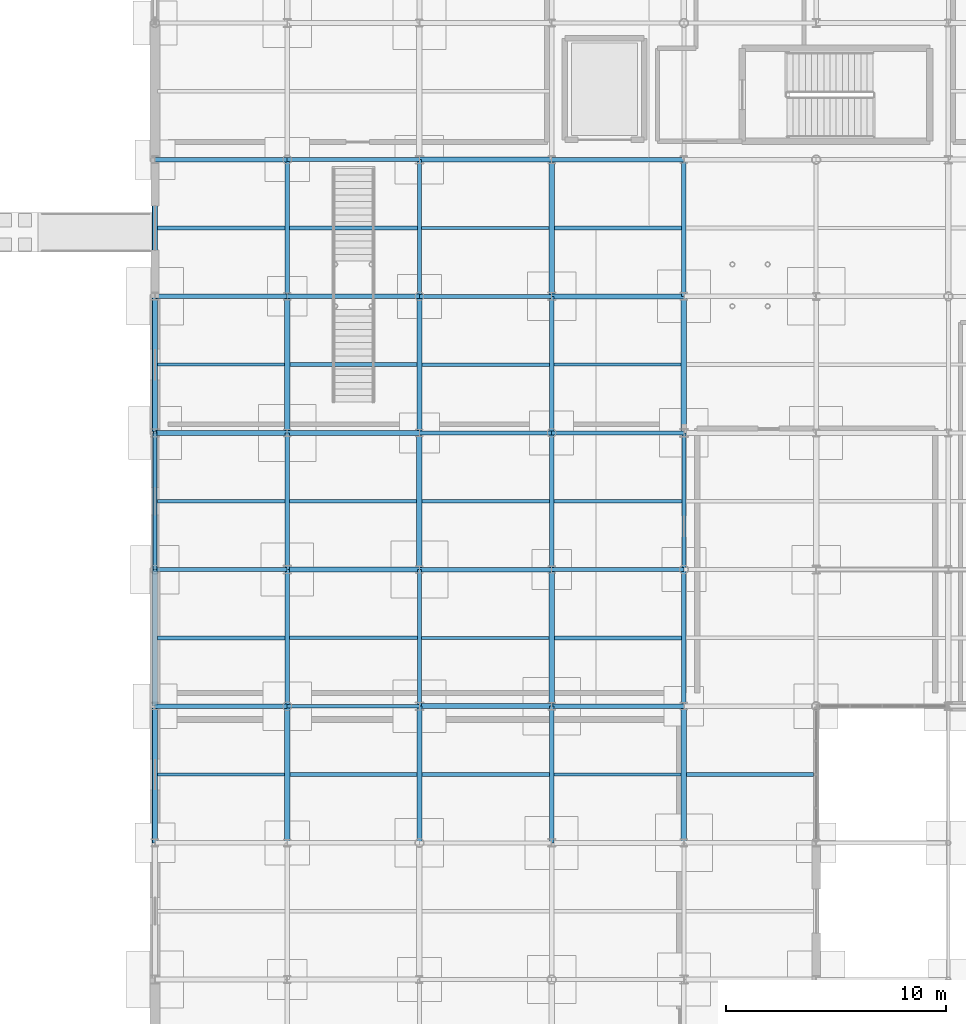
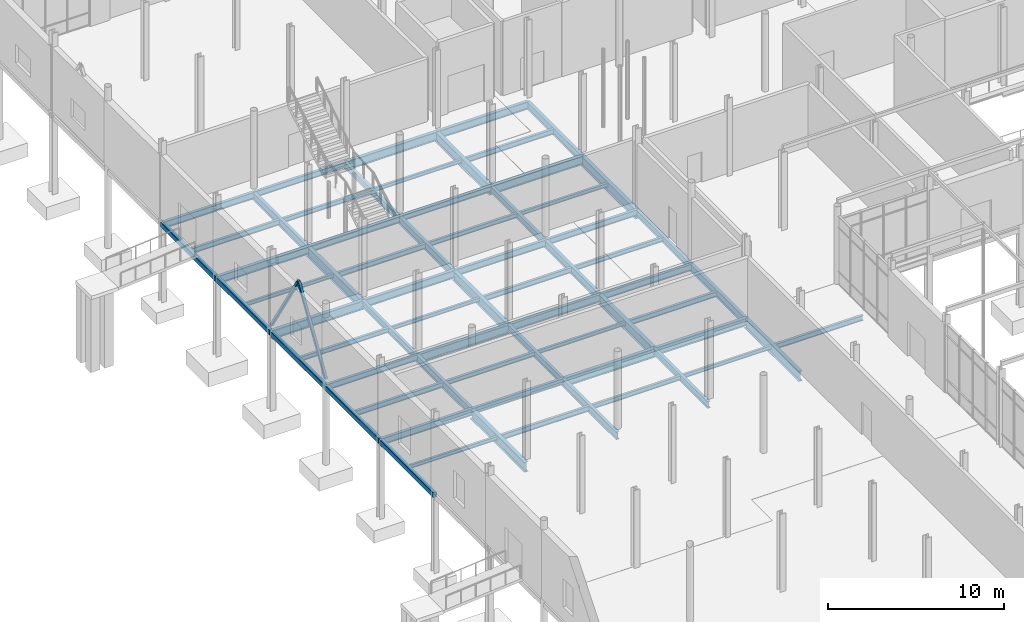
# One storey, part 31 of 98: 66 beams, 2 members.
"""IFC4 building model written with IfcOpenShell, lengths in metres."""

from ifc_helpers import new_model, si_unit, direction, frame, origin, origin_2d, place, context, subcontext, project, spatial, hollow_rectangle, i_section, extrude, material, material_profile, profile_set, type_object, element, save


model = new_model("IFC4")

# Units and contexts
model_context = context("Model", 3, precision=1e-05, world=origin(), true_north=direction((0.0, 1.0)))
body_context = subcontext(model_context, "Body", "Model", "MODEL_VIEW")
ifc_project = project(units=[si_unit("LENGTHUNIT", "METRE"), si_unit("AREAUNIT", "SQUARE_METRE"), si_unit("VOLUMEUNIT", "CUBIC_METRE"), si_unit("PLANEANGLEUNIT", "RADIAN"), si_unit("MASSUNIT", "GRAM", prefix="KILO")], contexts=[model_context])

# Site, building, storey
site_placement = place(None, origin())
site = spatial("IfcSite", under=ifc_project, at=site_placement, CompositionType="ELEMENT")
building_placement = place(site_placement, origin())
building = spatial("IfcBuilding", under=site, at=building_placement, Name="Mirzam Square Science Centre", CompositionType="ELEMENT")
storey_placement = place(building_placement, origin())
storey = spatial("IfcBuildingStorey", under=building, at=storey_placement, Name="L00", CompositionType="ELEMENT", Elevation=0.0)

# Beams
ifc_material = material(Name="Steel S355", Category="steel")
ifc_material_profile_1 = material_profile(ifc_material, i_section(OverallWidth=0.1787109375, OverallDepth=0.409423828125, WebThickness=0.0087890625, FlangeThickness=0.014404296875, FilletRadius=0.01025390625, at=origin_2d()), Name="406x178x67UB")
ifc_profile_set_1 = profile_set([ifc_material_profile_1], Name="Steel S355")
beam_type_1 = type_object("IfcBeamType", Name="BM-UB406", PredefinedType="BEAM", material=ifc_profile_set_1)
for number, where, z_axis, x_axis, name in (
    (1, (6.0, 37.199951171875, -0.504638671875), (1.0, 0.0, 0.0), (0.0, 1.0, 0.0), "L00 girder X2-7"),
    (2, (0.0, 43.39990234375, -0.504638671875), (1.0, 0.0, 0.0), (0.0, 1.0, 0.0), "L00 girder X1-8"),
    (3, (18.0, 49.60009765625, -0.504638671875), (1.0, 0.0, 0.0), (0.0, 1.0, 0.0), "L00 girder X4-9"),
    (4, (12.0, 55.800048828125, -0.504638671875), (1.0, 0.0, 0.0), (0.0, 1.0, 0.0), "L00 girder X3-10"),
    (5, (6.0, 62.0, -0.504638671875), (1.0, 0.0, 0.0), (0.0, 1.0, 0.0), "L00 girder X2-11"),
):
    element("IfcBeam", number, at=place(storey_placement, frame(where, z_axis=z_axis, x_axis=x_axis)), inside=storey, type_object=beam_type_1, Name=name, PredefinedType="BEAM", context=body_context, shape_type="SweptSolid", body=[
        extrude(i_section(OverallWidth=0.1787109375, OverallDepth=0.409423828125, WebThickness=0.0087890625, FlangeThickness=0.014404296875, FilletRadius=0.01025390625, at=origin_2d()), origin(), (0.0, 0.0, 1.0), 6.0),
    ])
ifc_material_profile_2 = material_profile(ifc_material, i_section(OverallWidth=0.19140625, OverallDepth=0.4599609375, WebThickness=0.010009765625, FlangeThickness=0.01611328125, FilletRadius=0.01025390625, at=origin_2d()), Name="457x191x82UB")
ifc_profile_set_2 = profile_set([ifc_material_profile_2], Name="Steel S355")
beam_type_2 = type_object("IfcBeamType", Name="BM-UB457", PredefinedType="BEAM", material=ifc_profile_set_2)
for number, where, z_axis, x_axis, name in (
    (6, (0.0, 37.199951171875, -0.530029296875), (1.0, 0.0, 0.0), (0.0, 1.0, 0.0), "L00 girder X1-7"),
    (7, (18.0, 43.39990234375, -0.530029296875), (1.0, 0.0, 0.0), (0.0, 1.0, 0.0), "L00 girder X4-8"),
    (8, (12.0, 49.60009765625, -0.530029296875), (1.0, 0.0, 0.0), (0.0, 1.0, 0.0), "L00 girder X3-9"),
    (9, (6.0, 55.800048828125, -0.530029296875), (1.0, 0.0, 0.0), (0.0, 1.0, 0.0), "L00 girder X2-10"),
    (10, (0.0, 62.0, -0.530029296875), (1.0, 0.0, 0.0), (0.0, 1.0, 0.0), "L00 girder X1-11"),
):
    element("IfcBeam", number, at=place(storey_placement, frame(where, z_axis=z_axis, x_axis=x_axis)), inside=storey, type_object=beam_type_2, Name=name, PredefinedType="BEAM", context=body_context, shape_type="SweptSolid", body=[
        extrude(i_section(OverallWidth=0.19140625, OverallDepth=0.4599609375, WebThickness=0.010009765625, FlangeThickness=0.01611328125, FilletRadius=0.01025390625, at=origin_2d()), origin(), (0.0, 0.0, 1.0), 6.0),
    ])
beam_1_placement = place(storey_placement, frame((6.0, 43.39990234375, -0.530029296875), z_axis=(0.0, 1.0, 0.0), x_axis=(-1.0, 0.0, 0.0)))
element("IfcBeam", 11, at=beam_1_placement, inside=storey, type_object=beam_type_2, Name="L00 girder Y2-8", PredefinedType="BEAM", context=body_context, shape_type="SweptSolid", body=[
    extrude(i_section(OverallWidth=0.19140625, OverallDepth=0.4599609375, WebThickness=0.010009765625, FlangeThickness=0.01611328125, FilletRadius=0.01025390625, at=origin_2d()), origin(), (0.0, 0.0, 1.0), 6.2001953125),
])
for number, where, z_axis, x_axis, name in (
    (12, (12.0, 37.199951171875, -0.530029296875), (0.0, 1.0, 0.0), (-1.0, 0.0, 0.0), "L00 girder Y3-7"),
    (13, (12.0, 55.800048828125, -0.530029296875), (0.0, 1.0, 0.0), (-1.0, 0.0, 0.0), "L00 girder Y3-10"),
    (14, (18.0, 31.0, -0.530029296875), (0.0, 1.0, 0.0), (-1.0, 0.0, 0.0), "L00 girder Y4-6"),
    (15, (18.0, 49.60009765625, -0.530029296875), (0.0, 1.0, 0.0), (-1.0, 0.0, 0.0), "L00 girder Y4-9"),
):
    element("IfcBeam", number, at=place(storey_placement, frame(where, z_axis=z_axis, x_axis=x_axis)), inside=storey, type_object=beam_type_2, Name=name, PredefinedType="BEAM", context=body_context, shape_type="SweptSolid", body=[
        extrude(i_section(OverallWidth=0.19140625, OverallDepth=0.4599609375, WebThickness=0.010009765625, FlangeThickness=0.01611328125, FilletRadius=0.01025390625, at=origin_2d()), origin(), (0.0, 0.0, 1.0), 6.199951171875),
    ])
beam_2_placement = place(storey_placement, frame((24.0, 43.39990234375, -0.530029296875), z_axis=(0.0, 1.0, 0.0), x_axis=(-1.0, 0.0, 0.0)))
element("IfcBeam", 16, at=beam_2_placement, inside=storey, type_object=beam_type_2, Name="L00 girder Y5-8", PredefinedType="BEAM", context=body_context, shape_type="SweptSolid", body=[
    extrude(i_section(OverallWidth=0.19140625, OverallDepth=0.4599609375, WebThickness=0.010009765625, FlangeThickness=0.01611328125, FilletRadius=0.01025390625, at=origin_2d()), origin(), (0.0, 0.0, 1.0), 6.2001953125),
])
ifc_material_profile_3 = material_profile(ifc_material, i_section(OverallWidth=0.2099609375, OverallDepth=0.53662109375, WebThickness=0.0107421875, FlangeThickness=0.017333984375, FilletRadius=0.0126953125, at=origin_2d()), Name="533x210x101UB")
ifc_profile_set_3 = profile_set([ifc_material_profile_3], Name="Steel S355")
beam_type_3 = type_object("IfcBeamType", Name="BM-UB533", PredefinedType="BEAM", material=ifc_profile_set_3)
for number, where, z_axis, x_axis, name in (
    (17, (18.0, 37.199951171875, -0.568359375), (1.0, 0.0, 0.0), (0.0, 1.0, 0.0), "L00 girder X4-7"),
    (18, (12.0, 43.39990234375, -0.568359375), (1.0, 0.0, 0.0), (0.0, 1.0, 0.0), "L00 girder X3-8"),
    (19, (6.0, 49.60009765625, -0.568359375), (1.0, 0.0, 0.0), (0.0, 1.0, 0.0), "L00 girder X2-9"),
    (20, (0.0, 55.800048828125, -0.568359375), (1.0, 0.0, 0.0), (0.0, 1.0, 0.0), "L00 girder X1-10"),
    (21, (18.0, 62.0, -0.568359375), (1.0, 0.0, 0.0), (0.0, 1.0, 0.0), "L00 girder X4-11"),
):
    element("IfcBeam", number, at=place(storey_placement, frame(where, z_axis=z_axis, x_axis=x_axis)), inside=storey, type_object=beam_type_3, Name=name, PredefinedType="BEAM", context=body_context, shape_type="SweptSolid", body=[
        extrude(i_section(OverallWidth=0.2099609375, OverallDepth=0.53662109375, WebThickness=0.0107421875, FlangeThickness=0.017333984375, FilletRadius=0.0126953125, at=origin_2d()), origin(), (0.0, 0.0, 1.0), 6.0),
    ])
for number, where, z_axis, x_axis, name in (
    (22, (6.0, 37.199951171875, -0.568359375), (0.0, 1.0, 0.0), (-1.0, 0.0, 0.0), "L00 girder Y2-7"),
    (23, (6.0, 55.800048828125, -0.568359375), (0.0, 1.0, 0.0), (-1.0, 0.0, 0.0), "L00 girder Y2-10"),
    (24, (12.0, 31.0, -0.568359375), (0.0, 1.0, 0.0), (-1.0, 0.0, 0.0), "L00 girder Y3-6"),
    (25, (12.0, 49.60009765625, -0.568359375), (0.0, 1.0, 0.0), (-1.0, 0.0, 0.0), "L00 girder Y3-9"),
):
    element("IfcBeam", number, at=place(storey_placement, frame(where, z_axis=z_axis, x_axis=x_axis)), inside=storey, type_object=beam_type_3, Name=name, PredefinedType="BEAM", context=body_context, shape_type="SweptSolid", body=[
        extrude(i_section(OverallWidth=0.2099609375, OverallDepth=0.53662109375, WebThickness=0.0107421875, FlangeThickness=0.017333984375, FilletRadius=0.0126953125, at=origin_2d()), origin(), (0.0, 0.0, 1.0), 6.199951171875),
    ])
beam_3_placement = place(storey_placement, frame((18.0, 43.39990234375, -0.568359375), z_axis=(0.0, 1.0, 0.0), x_axis=(-1.0, 0.0, 0.0)))
element("IfcBeam", 26, at=beam_3_placement, inside=storey, type_object=beam_type_3, Name="L00 girder Y4-8", PredefinedType="BEAM", context=body_context, shape_type="SweptSolid", body=[
    extrude(i_section(OverallWidth=0.2099609375, OverallDepth=0.53662109375, WebThickness=0.0107421875, FlangeThickness=0.017333984375, FilletRadius=0.0126953125, at=origin_2d()), origin(), (0.0, 0.0, 1.0), 6.2001953125),
])
for number, where, z_axis, x_axis, name in (
    (27, (24.0, 37.199951171875, -0.568359375), (0.0, 1.0, 0.0), (-1.0, 0.0, 0.0), "L00 girder Y5-7"),
    (28, (24.0, 55.800048828125, -0.568359375), (0.0, 1.0, 0.0), (-1.0, 0.0, 0.0), "L00 girder Y5-10"),
):
    element("IfcBeam", number, at=place(storey_placement, frame(where, z_axis=z_axis, x_axis=x_axis)), inside=storey, type_object=beam_type_3, Name=name, PredefinedType="BEAM", context=body_context, shape_type="SweptSolid", body=[
        extrude(i_section(OverallWidth=0.2099609375, OverallDepth=0.53662109375, WebThickness=0.0107421875, FlangeThickness=0.017333984375, FilletRadius=0.0126953125, at=origin_2d()), origin(), (0.0, 0.0, 1.0), 6.199951171875),
    ])
ifc_material_profile_4 = material_profile(ifc_material, i_section(OverallWidth=0.22900390625, OverallDepth=0.6123046875, WebThickness=0.011962890625, FlangeThickness=0.01953125, FilletRadius=0.0126953125, at=origin_2d()), Name="610x229x125UB")
ifc_profile_set_4 = profile_set([ifc_material_profile_4], Name="Steel S355")
beam_type_4 = type_object("IfcBeamType", Name="BM-UB610", PredefinedType="BEAM", material=ifc_profile_set_4)
for number, where, z_axis, x_axis, name in (
    (29, (12.0, 37.199951171875, -0.606201171875), (1.0, 0.0, 0.0), (0.0, 1.0, 0.0), "L00 girder X3-7"),
    (30, (6.0, 43.39990234375, -0.606201171875), (1.0, 0.0, 0.0), (0.0, 1.0, 0.0), "L00 girder X2-8"),
    (31, (0.0, 49.60009765625, -0.606201171875), (1.0, 0.0, 0.0), (0.0, 1.0, 0.0), "L00 girder X1-9"),
    (32, (18.0, 55.800048828125, -0.606201171875), (1.0, 0.0, 0.0), (0.0, 1.0, 0.0), "L00 girder X4-10"),
    (33, (12.0, 62.0, -0.606201171875), (1.0, 0.0, 0.0), (0.0, 1.0, 0.0), "L00 girder X3-11"),
):
    element("IfcBeam", number, at=place(storey_placement, frame(where, z_axis=z_axis, x_axis=x_axis)), inside=storey, type_object=beam_type_4, Name=name, PredefinedType="BEAM", context=body_context, shape_type="SweptSolid", body=[
        extrude(i_section(OverallWidth=0.22900390625, OverallDepth=0.6123046875, WebThickness=0.011962890625, FlangeThickness=0.01953125, FilletRadius=0.0126953125, at=origin_2d()), origin(), (0.0, 0.0, 1.0), 6.0),
    ])
ifc_material_profile_5 = material_profile(ifc_material, i_section(OverallWidth=0.25439453125, OverallDepth=0.6875, WebThickness=0.01318359375, FlangeThickness=0.02099609375, FilletRadius=0.01513671875, at=origin_2d()), Name="686x254x152UB")
ifc_profile_set_5 = profile_set([ifc_material_profile_5], Name="Steel S355")
beam_type_5 = type_object("IfcBeamType", Name="BM-UB686", PredefinedType="BEAM", material=ifc_profile_set_5)
for number, where, z_axis, x_axis, name in (
    (34, (6.0, 31.0, -0.643798828125), (0.0, 1.0, 0.0), (-1.0, 0.0, 0.0), "L00 girder Y2-6"),
    (35, (6.0, 49.60009765625, -0.643798828125), (0.0, 1.0, 0.0), (-1.0, 0.0, 0.0), "L00 girder Y2-9"),
):
    element("IfcBeam", number, at=place(storey_placement, frame(where, z_axis=z_axis, x_axis=x_axis)), inside=storey, type_object=beam_type_5, Name=name, PredefinedType="BEAM", context=body_context, shape_type="SweptSolid", body=[
        extrude(i_section(OverallWidth=0.25439453125, OverallDepth=0.6875, WebThickness=0.01318359375, FlangeThickness=0.02099609375, FilletRadius=0.01513671875, at=origin_2d()), origin(), (0.0, 0.0, 1.0), 6.199951171875),
    ])
beam_4_placement = place(storey_placement, frame((12.0, 43.39990234375, -0.643798828125), z_axis=(0.0, 1.0, 0.0), x_axis=(-1.0, 0.0, 0.0)))
element("IfcBeam", 36, at=beam_4_placement, inside=storey, type_object=beam_type_5, Name="L00 girder Y3-8", PredefinedType="BEAM", context=body_context, shape_type="SweptSolid", body=[
    extrude(i_section(OverallWidth=0.25439453125, OverallDepth=0.6875, WebThickness=0.01318359375, FlangeThickness=0.02099609375, FilletRadius=0.01513671875, at=origin_2d()), origin(), (0.0, 0.0, 1.0), 6.2001953125),
])
for number, where, z_axis, x_axis, name in (
    (37, (18.0, 37.199951171875, -0.643798828125), (0.0, 1.0, 0.0), (-1.0, 0.0, 0.0), "L00 girder Y4-7"),
    (38, (18.0, 55.800048828125, -0.643798828125), (0.0, 1.0, 0.0), (-1.0, 0.0, 0.0), "L00 girder Y4-10"),
    (39, (24.0, 31.0, -0.643798828125), (0.0, 1.0, 0.0), (-1.0, 0.0, 0.0), "L00 girder Y5-6"),
    (40, (24.0, 49.60009765625, -0.643798828125), (0.0, 1.0, 0.0), (-1.0, 0.0, 0.0), "L00 girder Y5-9"),
):
    element("IfcBeam", number, at=place(storey_placement, frame(where, z_axis=z_axis, x_axis=x_axis)), inside=storey, type_object=beam_type_5, Name=name, PredefinedType="BEAM", context=body_context, shape_type="SweptSolid", body=[
        extrude(i_section(OverallWidth=0.25439453125, OverallDepth=0.6875, WebThickness=0.01318359375, FlangeThickness=0.02099609375, FilletRadius=0.01513671875, at=origin_2d()), origin(), (0.0, 0.0, 1.0), 6.199951171875),
    ])

# Members
ifc_material_profile_6 = material_profile(ifc_material, hollow_rectangle(XDim=0.179931640625, YDim=0.179931640625, WallThickness=0.010009765625, InnerFilletRadius=0.010009765625, OuterFilletRadius=0.02001953125, at=origin_2d()), Name="180x180x10.0SHS")
ifc_profile_set_6 = profile_set([ifc_material_profile_6], Name="Steel S355")
member_type = type_object("IfcMemberType", Name="BR-SHS180", PredefinedType="BRACE", material=ifc_profile_set_6)
for number, where, z_axis, x_axis, name in (
    (41, (0.0, 43.39990234375, 0.050048828125), (0.0, 0.532707561114, 0.84629938812), (-1.0, 0.0, 0.0), "L00 chevron brace 1A"),
    (42, (0.0, 49.60009765625, 0.050048828125), (0.0, -0.532707561114, 0.84629938812), (1.0, 0.0, 0.0), "L00 chevron brace 1B"),
):
    element("IfcMember", number, at=place(storey_placement, frame(where, z_axis=z_axis, x_axis=x_axis)), inside=storey, type_object=member_type, Name=name, PredefinedType="BRACE", context=body_context, shape_type="SweptSolid", body=[
        extrude(hollow_rectangle(XDim=0.179931640625, YDim=0.179931640625, WallThickness=0.010009765625, InnerFilletRadius=0.010009765625, OuterFilletRadius=0.02001953125, at=origin_2d()), origin(), (0.0, 0.0, 1.0), 5.819580078125),
    ])

# Beams
ifc_material_profile_7 = material_profile(ifc_material, i_section(OverallWidth=0.146484375, OverallDepth=0.256103515625, WebThickness=0.00634765625, FlangeThickness=0.010986328125, FilletRadius=0.007568359375, at=origin_2d()), Name="254x146x37UB")
ifc_profile_set_7 = profile_set([ifc_material_profile_7], Name="Steel S355")
beam_type_6 = type_object("IfcBeamType", Name="JS-UB254", PredefinedType="JOIST", material=ifc_profile_set_7)
for number, where, z_axis, x_axis, name in (
    (43, (0.125, 34.10009765625, -0.427978515625), (1.0, 0.0, 0.0), (0.0, 1.0, 0.0), "L00 composite joist 1-6"),
    (44, (0.125, 52.699951171875, -0.427978515625), (1.0, 0.0, 0.0), (0.0, 1.0, 0.0), "L00 composite joist 1-9"),
):
    element("IfcBeam", number, at=place(storey_placement, frame(where, z_axis=z_axis, x_axis=x_axis)), inside=storey, type_object=beam_type_6, Name=name, PredefinedType="JOIST", context=body_context, shape_type="SweptSolid", body=[
        extrude(i_section(OverallWidth=0.146484375, OverallDepth=0.256103515625, WebThickness=0.00634765625, FlangeThickness=0.010986328125, FilletRadius=0.007568359375, at=origin_2d()), origin(), (0.0, 0.0, 1.0), 5.747802734375),
    ])
for number, where, z_axis, x_axis, name in (
    (45, (6.095703125, 46.5, -0.427978515625), (1.0, 0.0, 0.0), (0.0, 1.0, 0.0), "L00 composite joist 2-8"),
    (46, (12.095703125, 40.300048828125, -0.427978515625), (1.0, 0.0, 0.0), (0.0, 1.0, 0.0), "L00 composite joist 3-7"),
    (47, (12.095703125, 58.89990234375, -0.427978515625), (1.0, 0.0, 0.0), (0.0, 1.0, 0.0), "L00 composite joist 3-10"),
    (48, (18.095703125, 34.10009765625, -0.427978515625), (1.0, 0.0, 0.0), (0.0, 1.0, 0.0), "L00 composite joist 4-6"),
    (49, (18.095703125, 52.699951171875, -0.427978515625), (1.0, 0.0, 0.0), (0.0, 1.0, 0.0), "L00 composite joist 4-9"),
):
    element("IfcBeam", number, at=place(storey_placement, frame(where, z_axis=z_axis, x_axis=x_axis)), inside=storey, type_object=beam_type_6, Name=name, PredefinedType="JOIST", context=body_context, shape_type="SweptSolid", body=[
        extrude(i_section(OverallWidth=0.146484375, OverallDepth=0.256103515625, WebThickness=0.00634765625, FlangeThickness=0.010986328125, FilletRadius=0.007568359375, at=origin_2d()), origin(), (0.0, 0.0, 1.0), 5.777099609375),
    ])
ifc_material_profile_8 = material_profile(ifc_material, i_section(OverallWidth=0.165771484375, OverallDepth=0.306640625, WebThickness=0.006591796875, FlangeThickness=0.01171875, FilletRadius=0.0087890625, at=origin_2d()), Name="305x165x46UB")
ifc_profile_set_8 = profile_set([ifc_material_profile_8], Name="Steel S355")
beam_type_7 = type_object("IfcBeamType", Name="JS-UB305", PredefinedType="JOIST", material=ifc_profile_set_8)
beam_5_placement = place(storey_placement, frame((0.125, 46.5, -0.453369140625), z_axis=(1.0, 0.0, 0.0), x_axis=(0.0, 1.0, 0.0)))
element("IfcBeam", 50, at=beam_5_placement, inside=storey, type_object=beam_type_7, Name="L00 composite joist 1-8", PredefinedType="JOIST", context=body_context, shape_type="SweptSolid", body=[
    extrude(i_section(OverallWidth=0.165771484375, OverallDepth=0.306640625, WebThickness=0.006591796875, FlangeThickness=0.01171875, FilletRadius=0.0087890625, at=origin_2d()), origin(), (0.0, 0.0, 1.0), 5.779296875),
])
for number, where, z_axis, x_axis, name in (
    (51, (6.10498046875, 40.300048828125, -0.453369140625), (1.0, 0.0, 0.0), (0.0, 1.0, 0.0), "L00 composite joist 2-7"),
    (52, (6.10498046875, 58.89990234375, -0.453369140625), (1.0, 0.0, 0.0), (0.0, 1.0, 0.0), "L00 composite joist 2-10"),
    (53, (12.10498046875, 34.10009765625, -0.453369140625), (1.0, 0.0, 0.0), (0.0, 1.0, 0.0), "L00 composite joist 3-6"),
    (54, (12.10498046875, 52.699951171875, -0.453369140625), (1.0, 0.0, 0.0), (0.0, 1.0, 0.0), "L00 composite joist 3-9"),
    (55, (18.10498046875, 46.5, -0.453369140625), (1.0, 0.0, 0.0), (0.0, 1.0, 0.0), "L00 composite joist 4-8"),
):
    element("IfcBeam", number, at=place(storey_placement, frame(where, z_axis=z_axis, x_axis=x_axis)), inside=storey, type_object=beam_type_7, Name=name, PredefinedType="JOIST", context=body_context, shape_type="SweptSolid", body=[
        extrude(i_section(OverallWidth=0.165771484375, OverallDepth=0.306640625, WebThickness=0.006591796875, FlangeThickness=0.01171875, FilletRadius=0.0087890625, at=origin_2d()), origin(), (0.0, 0.0, 1.0), 5.79931640625),
    ])
ifc_material_profile_9 = material_profile(ifc_material, i_section(OverallWidth=0.172119140625, OverallDepth=0.35791015625, WebThickness=0.008056640625, FlangeThickness=0.012939453125, FilletRadius=0.01025390625, at=origin_2d()), Name="356x171x57UB")
ifc_profile_set_9 = profile_set([ifc_material_profile_9], Name="Steel S355")
beam_type_8 = type_object("IfcBeamType", Name="JS-UB356", PredefinedType="JOIST", material=ifc_profile_set_9)
for number, where, z_axis, x_axis, name in (
    (56, (0.125, 40.300048828125, -0.47900390625), (1.0, 0.0, 0.0), (0.0, 1.0, 0.0), "L00 composite joist 1-7"),
    (57, (0.125, 58.89990234375, -0.47900390625), (1.0, 0.0, 0.0), (0.0, 1.0, 0.0), "L00 composite joist 1-10"),
):
    element("IfcBeam", number, at=place(storey_placement, frame(where, z_axis=z_axis, x_axis=x_axis)), inside=storey, type_object=beam_type_8, Name=name, PredefinedType="JOIST", context=body_context, shape_type="SweptSolid", body=[
        extrude(i_section(OverallWidth=0.172119140625, OverallDepth=0.35791015625, WebThickness=0.008056640625, FlangeThickness=0.012939453125, FilletRadius=0.01025390625, at=origin_2d()), origin(), (0.0, 0.0, 1.0), 5.77001953125),
    ])
for number, where, z_axis, x_axis, name in (
    (58, (6.127197265625, 34.10009765625, -0.47900390625), (1.0, 0.0, 0.0), (0.0, 1.0, 0.0), "L00 composite joist 2-6"),
    (59, (6.127197265625, 52.699951171875, -0.47900390625), (1.0, 0.0, 0.0), (0.0, 1.0, 0.0), "L00 composite joist 2-9"),
    (60, (12.127197265625, 46.5, -0.47900390625), (1.0, 0.0, 0.0), (0.0, 1.0, 0.0), "L00 composite joist 3-8"),
    (61, (18.127197265625, 40.300048828125, -0.47900390625), (1.0, 0.0, 0.0), (0.0, 1.0, 0.0), "L00 composite joist 4-7"),
    (62, (18.127197265625, 58.89990234375, -0.47900390625), (1.0, 0.0, 0.0), (0.0, 1.0, 0.0), "L00 composite joist 4-10"),
):
    element("IfcBeam", number, at=place(storey_placement, frame(where, z_axis=z_axis, x_axis=x_axis)), inside=storey, type_object=beam_type_8, Name=name, PredefinedType="JOIST", context=body_context, shape_type="SweptSolid", body=[
        extrude(i_section(OverallWidth=0.172119140625, OverallDepth=0.35791015625, WebThickness=0.008056640625, FlangeThickness=0.012939453125, FilletRadius=0.01025390625, at=origin_2d()), origin(), (0.0, 0.0, 1.0), 5.767822265625),
    ])
beam_6_placement = place(storey_placement, frame((24.127197265625, 34.10009765625, -0.47900390625), z_axis=(1.0, 0.0, 0.0), x_axis=(0.0, 1.0, 0.0)))
element("IfcBeam", 63, at=beam_6_placement, inside=storey, type_object=beam_type_8, Name="L00 composite joist 5-6", PredefinedType="JOIST", context=body_context, shape_type="SweptSolid", body=[
    extrude(i_section(OverallWidth=0.172119140625, OverallDepth=0.35791015625, WebThickness=0.008056640625, FlangeThickness=0.012939453125, FilletRadius=0.01025390625, at=origin_2d()), origin(), (0.0, 0.0, 1.0), 5.747802734375),
])
ifc_material_profile_10 = material_profile(ifc_material, hollow_rectangle(XDim=0.25, YDim=0.35009765625, WallThickness=0.012451171875, InnerFilletRadius=0.012451171875, OuterFilletRadius=0.02490234375, at=origin_2d()), Name="350x250x12.5RHS")
ifc_profile_set_10 = profile_set([ifc_material_profile_10], Name="Steel S355")
beam_type_9 = type_object("IfcBeamType", Name="SP-RHS350", PredefinedType="SPANDREL", material=ifc_profile_set_10)
for number, where, z_axis, x_axis, name in (
    (64, (0.0, 31.0, -0.47509765625), (0.0, 1.0, 0.0), (-1.0, 0.0, 0.0), "L00 girder Y1-6"),
    (65, (0.0, 37.199951171875, -0.47509765625), (0.0, 1.0, 0.0), (-1.0, 0.0, 0.0), "L00 girder Y1-7"),
):
    element("IfcBeam", number, at=place(storey_placement, frame(where, z_axis=z_axis, x_axis=x_axis)), inside=storey, type_object=beam_type_9, Name=name, PredefinedType="SPANDREL", context=body_context, shape_type="SweptSolid", body=[
        extrude(hollow_rectangle(XDim=0.25, YDim=0.35009765625, WallThickness=0.012451171875, InnerFilletRadius=0.012451171875, OuterFilletRadius=0.02490234375, at=origin_2d()), origin(), (0.0, 0.0, 1.0), 6.199951171875),
    ])
beam_7_placement = place(storey_placement, frame((0.0, 43.39990234375, -0.47509765625), z_axis=(0.0, 1.0, 0.0), x_axis=(-1.0, 0.0, 0.0)))
element("IfcBeam", 66, at=beam_7_placement, inside=storey, type_object=beam_type_9, Name="L00 girder Y1-8", PredefinedType="SPANDREL", context=body_context, shape_type="SweptSolid", body=[
    extrude(hollow_rectangle(XDim=0.25, YDim=0.35009765625, WallThickness=0.012451171875, InnerFilletRadius=0.012451171875, OuterFilletRadius=0.02490234375, at=origin_2d()), origin(), (0.0, 0.0, 1.0), 6.2001953125),
])
for number, where, z_axis, x_axis, name in (
    (67, (0.0, 49.60009765625, -0.47509765625), (0.0, 1.0, 0.0), (-1.0, 0.0, 0.0), "L00 girder Y1-9"),
    (68, (0.0, 55.800048828125, -0.47509765625), (0.0, 1.0, 0.0), (-1.0, 0.0, 0.0), "L00 girder Y1-10"),
):
    element("IfcBeam", number, at=place(storey_placement, frame(where, z_axis=z_axis, x_axis=x_axis)), inside=storey, type_object=beam_type_9, Name=name, PredefinedType="SPANDREL", context=body_context, shape_type="SweptSolid", body=[
        extrude(hollow_rectangle(XDim=0.25, YDim=0.35009765625, WallThickness=0.012451171875, InnerFilletRadius=0.012451171875, OuterFilletRadius=0.02490234375, at=origin_2d()), origin(), (0.0, 0.0, 1.0), 6.199951171875),
    ])

save(model, "model.ifc")
